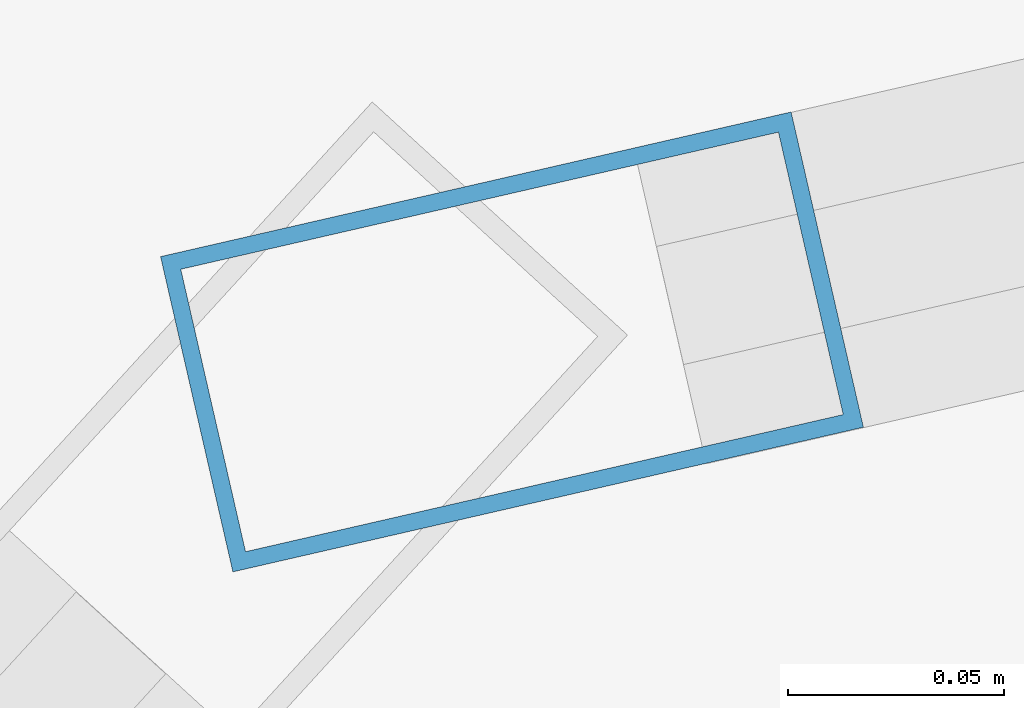
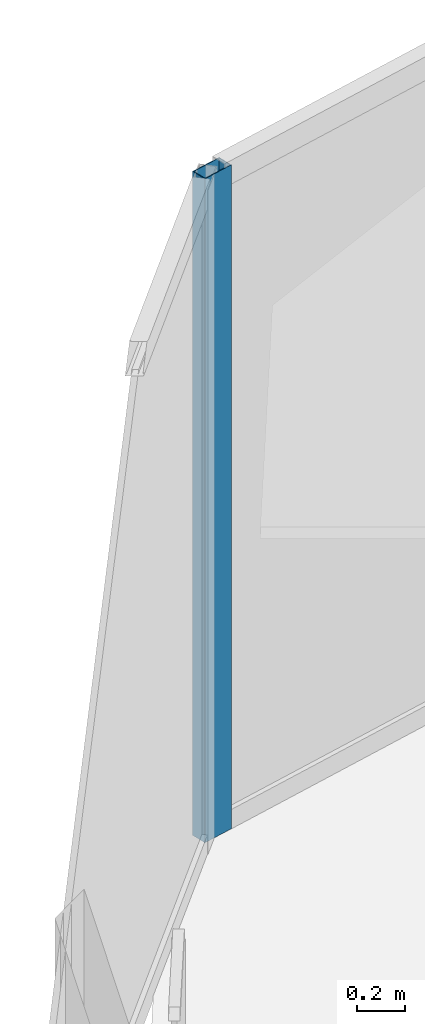
# One storey, part 19 of 34: 1 member, 1 element without a shape of its own.
"""IFC4 building model written with IfcOpenShell, lengths in metres."""

from ifc_helpers import new_model, si_unit, direction, frame, origin, origin_2d, place, context, subcontext, project, spatial, hollow_rectangle, extrude, material, layer, layer_set, material_profile, profile_set, type_object, element, aggregate, save


model = new_model("IFC4")

# Units and contexts
model_context = context("Model", 3, precision=1e-05, world=origin(), true_north=direction((0.0, 1.0)))
body_context = subcontext(model_context, "Body", "Model", "MODEL_VIEW")
ifc_project = project(units=[si_unit("LENGTHUNIT", "METRE"), si_unit("AREAUNIT", "SQUARE_METRE"), si_unit("VOLUMEUNIT", "CUBIC_METRE"), si_unit("PLANEANGLEUNIT", "RADIAN"), si_unit("MASSUNIT", "GRAM", prefix="KILO")], contexts=[model_context])

# Site, building, storey
site_placement = place(None, origin())
site = spatial("IfcSite", under=ifc_project, at=site_placement, CompositionType="ELEMENT")
building_placement = place(site_placement, origin())
building = spatial("IfcBuilding", under=site, at=building_placement, Name="Kazevale Care Tower and Concert Hall", CompositionType="ELEMENT")
storey_placement = place(building_placement, frame((0.0, 0.0, 156.60009765625)))
storey = spatial("IfcBuildingStorey", under=building, at=storey_placement, Name="L41", CompositionType="ELEMENT", Elevation=156.60009765625)

# Curtain wall, member
ifc_material_1 = material(Name="Aluminium 6063-T6 and Low-E Glass", Category="aluminium")
ifc_layer = layer(ifc_material_1, 0.179931640625)
ifc_layer_set = layer_set([ifc_layer], Name="Aluminium 6063-T6 and Low-E Glass")
curtain_wall_type = type_object("IfcCurtainWallType", Name="Convex Recessed Sunroom Curtain Wall CW-3", PredefinedType="NOTDEFINED", material=ifc_layer_set)
curtain_wall_placement = place(storey_placement, origin())
curtain_wall = element("IfcCurtainWall", 1, at=curtain_wall_placement, inside=storey, type_object=curtain_wall_type, Name="cw:L41:f15", PredefinedType="NOTDEFINED")
ifc_material_2 = material(Name="Aluminium 6063-T6", Category="aluminium")
ifc_material_profile = material_profile(ifc_material_2, hollow_rectangle(XDim=0.074951171875, YDim=0.14990234375, WallThickness=0.00390625, at=origin_2d()), Name="ALU75x150x4")
ifc_profile_set = profile_set([ifc_material_profile], Name="Aluminium 6063-T6")
member_type = type_object("IfcMemberType", Name="CW-3 Mullion ALU75x150x4", PredefinedType="MULLION", material=ifc_profile_set)
member_placement = place(storey_placement, frame((25.820556640625, 62.37841796875, 0.0), z_axis=(0.0, 0.0, 1.0), x_axis=(-0.223567329284, 0.974688488327, 0.0)))
member = element("IfcMember", 2, at=member_placement, type_object=member_type, Name="CW-3 mullion 1", PredefinedType="MULLION", context=body_context, shape_type="SweptSolid", body=[
    extrude(hollow_rectangle(XDim=0.074951171875, YDim=0.14990234375, WallThickness=0.00390625, at=origin_2d()), origin(), (0.0, 0.0, 1.0), 3.35986328125),
])
aggregate(curtain_wall, [member])

save(model, "model.ifc")
